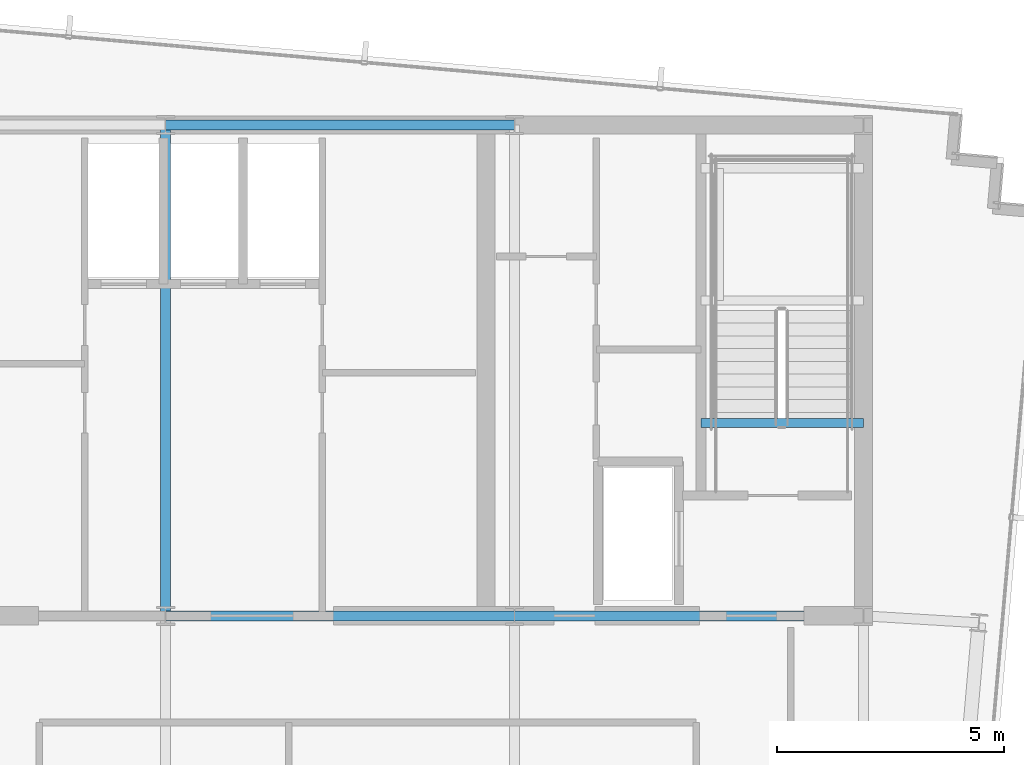
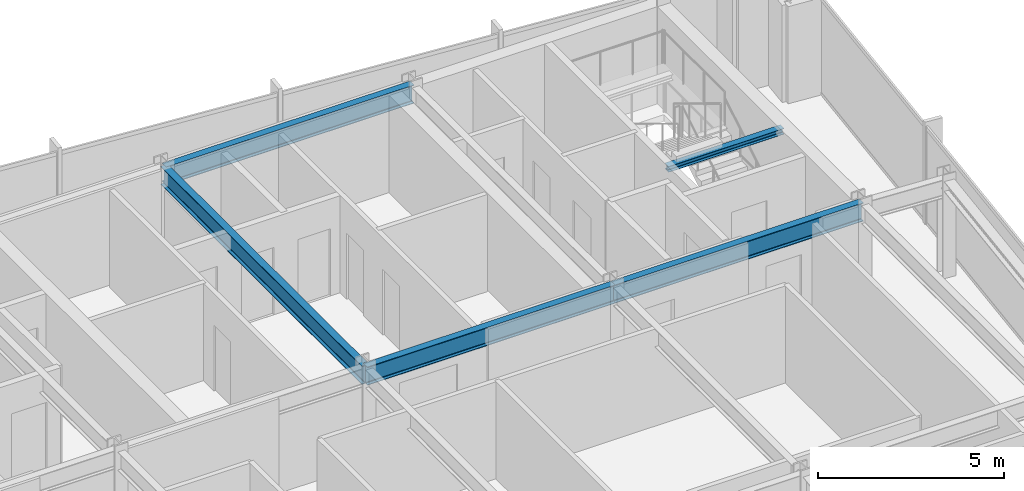
# One storey, part 18 of 33: 5 beams.
"""IFC4 building model written with IfcOpenShell, lengths in metres."""

from ifc_helpers import new_model, si_unit, direction, frame, origin, origin_2d, place, context, subcontext, project, spatial, i_section, extrude, material, material_profile, profile_set, type_object, element, save


model = new_model("IFC4")

# Units and contexts
model_context = context("Model", 3, precision=1e-05, world=origin(), true_north=direction((0.0, 1.0)))
body_context = subcontext(model_context, "Body", "Model", "MODEL_VIEW")
ifc_project = project(units=[si_unit("LENGTHUNIT", "METRE"), si_unit("AREAUNIT", "SQUARE_METRE"), si_unit("VOLUMEUNIT", "CUBIC_METRE"), si_unit("PLANEANGLEUNIT", "RADIAN"), si_unit("MASSUNIT", "GRAM", prefix="KILO")], contexts=[model_context])

# Site, building, storey
site_placement = place(None, origin())
site = spatial("IfcSite", under=ifc_project, at=site_placement, CompositionType="ELEMENT")
building_placement = place(site_placement, origin())
building = spatial("IfcBuilding", under=site, at=building_placement, Name="Yelkora Congress Tower", CompositionType="ELEMENT")
storey_placement = place(building_placement, frame((0.0, 0.0, 289.699951171875)))
storey = spatial("IfcBuildingStorey", under=building, at=storey_placement, Name="L81", CompositionType="ELEMENT", Elevation=289.699951171875)

# Beams
ifc_material = material(Name="Steel S355J2", Category="steel")
ifc_material_profile_1 = material_profile(ifc_material, i_section(OverallWidth=0.219970703125, OverallDepth=0.60009765625, WebThickness=0.011962890625, FlangeThickness=0.01904296875, FilletRadius=0.02392578125, at=origin_2d()), Name="IPE 600")
ifc_profile_set_1 = profile_set([ifc_material_profile_1], Name="Steel S355J2")
beam_type_1 = type_object("IfcBeamType", Name="BM-GIRD-IPE600", PredefinedType="BEAM", material=ifc_profile_set_1)
for number, where, z_axis, x_axis, name in (
    (1, (38.39990234375, 46.199951171875, 2.880126953125), (1.0, 0.0, 0.0), (0.0, 1.0, 0.0), "L81 Core North Girder 3"),
    (2, (38.39990234375, 35.39990234375, 2.880126953125), (1.0, 0.0, 0.0), (0.0, 1.0, 0.0), "L81 Core South Girder 3"),
):
    element("IfcBeam", number, at=place(storey_placement, frame(where, z_axis=z_axis, x_axis=x_axis)), inside=storey, type_object=beam_type_1, Name=name, PredefinedType="BEAM", context=body_context, shape_type="SweptSolid", body=[
        extrude(i_section(OverallWidth=0.219970703125, OverallDepth=0.60009765625, WebThickness=0.011962890625, FlangeThickness=0.01904296875, FilletRadius=0.02392578125, at=origin_2d()), origin(), (0.0, 0.0, 1.0), 7.68017578125),
    ])
beam_1_placement = place(storey_placement, frame((46.080078125, 35.39990234375, 2.880126953125), z_axis=(1.0, 0.0, 0.0), x_axis=(0.0, 1.0, 0.0)))
element("IfcBeam", 3, at=beam_1_placement, inside=storey, type_object=beam_type_1, Name="L81 Core South Girder 4", PredefinedType="BEAM", context=body_context, shape_type="SweptSolid", body=[
    extrude(i_section(OverallWidth=0.219970703125, OverallDepth=0.60009765625, WebThickness=0.011962890625, FlangeThickness=0.01904296875, FilletRadius=0.02392578125, at=origin_2d()), origin(), (0.0, 0.0, 1.0), 7.679931640625),
])
beam_2_placement = place(storey_placement, frame((38.39990234375, 35.39990234375, 2.880126953125), z_axis=(0.0, 1.0, 0.0), x_axis=(-1.0, 0.0, 0.0)))
element("IfcBeam", 4, at=beam_2_placement, inside=storey, type_object=beam_type_1, Name="L81 Core Tie Girder MC-S3", PredefinedType="BEAM", context=body_context, shape_type="SweptSolid", body=[
    extrude(i_section(OverallWidth=0.219970703125, OverallDepth=0.60009765625, WebThickness=0.011962890625, FlangeThickness=0.01904296875, FilletRadius=0.02392578125, at=origin_2d()), origin(), (0.0, 0.0, 1.0), 10.800048828125),
])
ifc_material_profile_2 = material_profile(ifc_material, i_section(OverallWidth=0.199951171875, OverallDepth=0.18994140625, WebThickness=0.006591796875, FlangeThickness=0.010009765625, FilletRadius=0.01806640625, at=origin_2d()), Name="HEA 200")
ifc_profile_set_2 = profile_set([ifc_material_profile_2], Name="Steel S355J2")
beam_type_2 = type_object("IfcBeamType", Name="BM-LAND-HEA200", PredefinedType="BEAM", material=ifc_profile_set_2)
beam_3_placement = place(storey_placement, frame((50.179931640625, 39.639892578125, 2.947509765625), z_axis=(1.0, 0.0, 0.0), x_axis=(0.0, 1.0, 0.0)))
element("IfcBeam", 5, at=beam_3_placement, inside=storey, type_object=beam_type_2, Name="ST-02 L81 Floor Arrival Stringer Header Beam", PredefinedType="BEAM", context=body_context, shape_type="SweptSolid", body=[
    extrude(i_section(OverallWidth=0.199951171875, OverallDepth=0.18994140625, WebThickness=0.006591796875, FlangeThickness=0.010009765625, FilletRadius=0.01806640625, at=origin_2d()), origin(), (0.0, 0.0, 1.0), 3.580078125),
])

save(model, "model.ifc")
